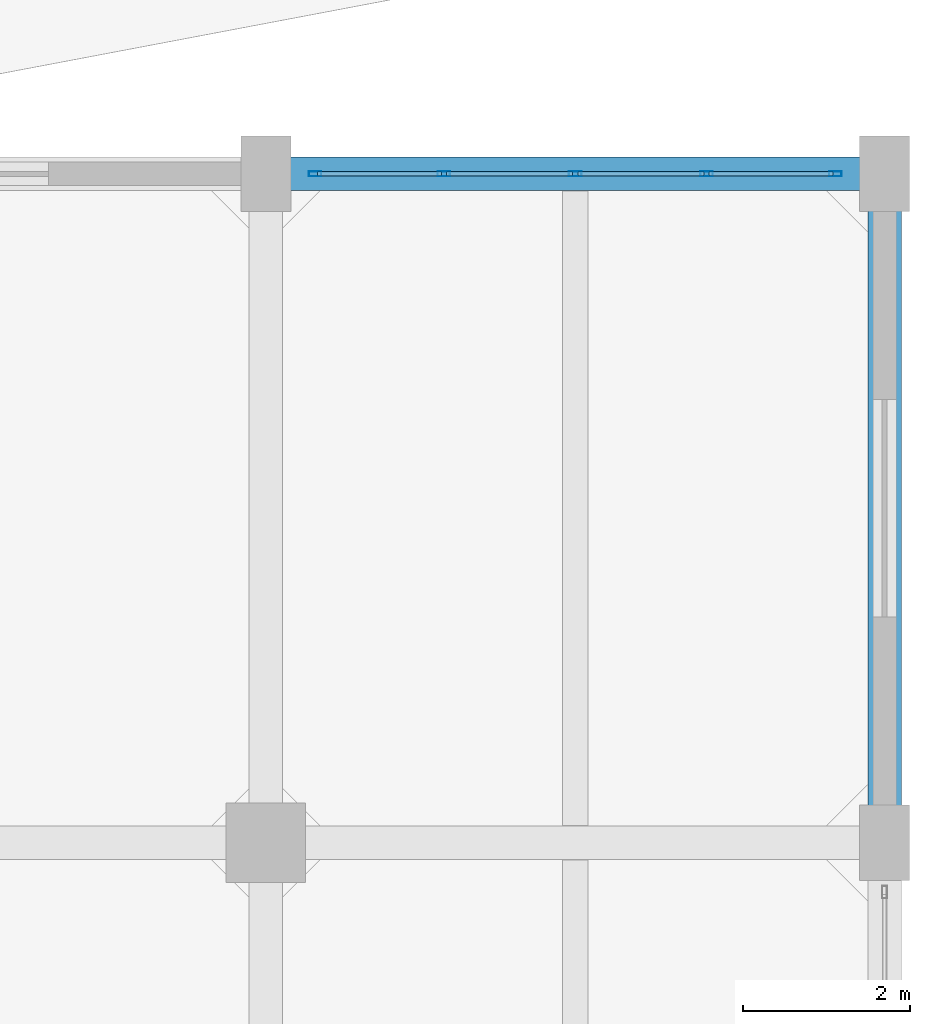
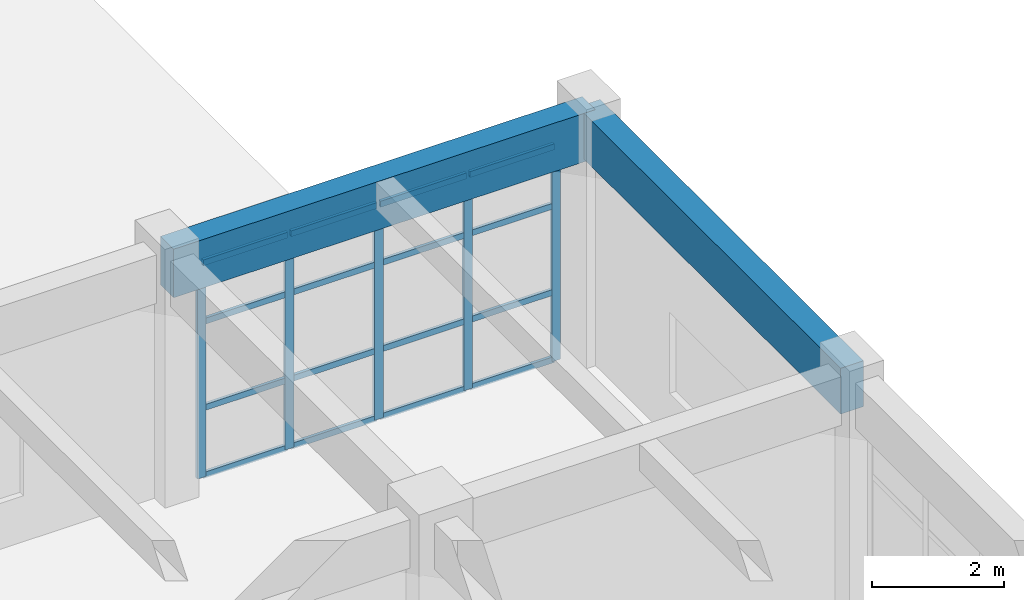
# One storey, part 42 of 63: 21 members, 2 beams, 1 element without a shape of its own.
"""IFC4 building model written with IfcOpenShell, lengths in metres."""

from ifc_helpers import new_model, si_unit, direction, frame, origin, origin_2d, place, context, subcontext, project, spatial, rectangle, hollow_rectangle, extrude, material, layer, layer_set, material_profile, profile_set, type_object, element, aggregate, save


model = new_model("IFC4")

# Units and contexts
model_context = context("Model", 3, precision=1e-05, world=origin(), true_north=direction((0.0, 1.0)))
body_context = subcontext(model_context, "Body", "Model", "MODEL_VIEW")
ifc_project = project(units=[si_unit("LENGTHUNIT", "METRE"), si_unit("AREAUNIT", "SQUARE_METRE"), si_unit("VOLUMEUNIT", "CUBIC_METRE"), si_unit("PLANEANGLEUNIT", "RADIAN"), si_unit("MASSUNIT", "GRAM", prefix="KILO")], contexts=[model_context])

# Site, building, storey
site_placement = place(None, origin())
site = spatial("IfcSite", under=ifc_project, at=site_placement, CompositionType="ELEMENT")
building_placement = place(site_placement, origin())
building = spatial("IfcBuilding", under=site, at=building_placement, Name="Canggui Botanical Conservatory", CompositionType="ELEMENT")
storey_placement = place(building_placement, frame((0.0, 0.0, 10.199951171875)))
storey = spatial("IfcBuildingStorey", under=building, at=storey_placement, Name="L03", CompositionType="ELEMENT", Elevation=10.199951171875)

# Beams
ifc_material_1 = material(Name="Concrete C35", Category="concrete")
ifc_material_profile_1 = material_profile(ifc_material_1, rectangle(XDim=0.39990234375, YDim=0.89990234375, at=origin_2d()), Name="RB 400x900")
ifc_profile_set_1 = profile_set([ifc_material_profile_1], Name="Concrete C35")
beam_type_1 = type_object("IfcBeamType", Name="BM-KL07", PredefinedType="BEAM", material=ifc_profile_set_1)
beam_1_placement = place(storey_placement, frame((170.0, 82.0, 4.10009765625), z_axis=(1.0, 0.0, 0.0), x_axis=(0.0, 1.0, 0.0)))
element("IfcBeam", 1, at=beam_1_placement, inside=storey, type_object=beam_type_1, Name="Frame Girder L03 Y82-5", PredefinedType="BEAM", context=body_context, shape_type="SweptSolid", body=[
    extrude(rectangle(XDim=0.39990234375, YDim=0.89990234375, at=origin_2d()), origin(), (0.0, 0.0, 1.0), 7.39990234375),
])
ifc_material_profile_2 = material_profile(ifc_material_1, rectangle(XDim=0.39990234375, YDim=0.85009765625, at=origin_2d()), Name="RB 400x850")
ifc_profile_set_2 = profile_set([ifc_material_profile_2], Name="Concrete C35")
beam_type_2 = type_object("IfcBeamType", Name="BM-KL08", PredefinedType="BEAM", material=ifc_profile_set_2)
beam_2_placement = place(storey_placement, frame((177.39990234375, 74.0, 4.125), z_axis=(0.0, 1.0, 0.0), x_axis=(-1.0, 0.0, 0.0)))
element("IfcBeam", 2, at=beam_2_placement, inside=storey, type_object=beam_type_2, Name="Frame Girder L03 X178-7", PredefinedType="BEAM", context=body_context, shape_type="SweptSolid", body=[
    extrude(rectangle(XDim=0.39990234375, YDim=0.85009765625, at=origin_2d()), origin(), (0.0, 0.0, 1.0), 8.0),
])

# Curtain wall, members
ifc_material_2 = material(Name="Thermally Broken Aluminium", Category="aluminium")
ifc_layer = layer(ifc_material_2, 0.14990234375, Name="Thermally Broken Aluminium", Category="aluminium")
ifc_layer_set = layer_set([ifc_layer], Name="Thermally Broken Aluminium")
curtain_wall_type = type_object("IfcCurtainWallType", Name="CW-UNIT-C", PredefinedType="USERDEFINED", material=ifc_layer_set)
curtain_wall_placement = place(storey_placement, origin())
curtain_wall = element("IfcCurtainWall", 3, at=curtain_wall_placement, inside=storey, type_object=curtain_wall_type, Name="Facade Curtain Wall CW-TWR-L03-19", ObjectType="UNITISED CURTAIN WALL", PredefinedType="USERDEFINED")
ifc_material_profile_3 = material_profile(ifc_material_2, hollow_rectangle(XDim=0.06005859375, YDim=0.14990234375, WallThickness=0.00341796875, at=origin_2d()), Name="CWM 60x150x3.5")
ifc_profile_set_3 = profile_set([ifc_material_profile_3], Name="Thermally Broken Aluminium")
member_type_1 = type_object("IfcMemberType", Name="CWM-03", PredefinedType="MULLION", material=ifc_profile_set_3)
member_1_placement = place(storey_placement, frame((170.590087890625, 82.0, 0.0), z_axis=(0.0, 0.0, 1.0), x_axis=(0.0, 1.0, 0.0)))
member_1 = element("IfcMember", 4, at=member_1_placement, type_object=member_type_1, Name="CW-03 mullion 1", PredefinedType="MULLION", context=body_context, shape_type="SweptSolid", body=[
    extrude(hollow_rectangle(XDim=0.06005859375, YDim=0.14990234375, WallThickness=0.00341796875, at=origin_2d()), origin(), (0.0, 0.0, 1.0), 4.0),
])
member_2_placement = place(storey_placement, frame((172.1298828125, 82.0, 0.0), z_axis=(0.0, 0.0, 1.0), x_axis=(0.0, 1.0, 0.0)))
member_2 = element("IfcMember", 5, at=member_2_placement, type_object=member_type_1, Name="CW-03 mullion 2", PredefinedType="MULLION", context=body_context, shape_type="SweptSolid", body=[
    extrude(hollow_rectangle(XDim=0.06005859375, YDim=0.14990234375, WallThickness=0.00341796875, at=origin_2d()), origin(), (0.0, 0.0, 1.0), 4.0),
])
member_3_placement = place(storey_placement, frame((173.699951171875, 82.0, 0.0), z_axis=(0.0, 0.0, 1.0), x_axis=(0.0, 1.0, 0.0)))
member_3 = element("IfcMember", 6, at=member_3_placement, type_object=member_type_1, Name="CW-03 mullion 3", PredefinedType="MULLION", context=body_context, shape_type="SweptSolid", body=[
    extrude(hollow_rectangle(XDim=0.06005859375, YDim=0.14990234375, WallThickness=0.00341796875, at=origin_2d()), origin(), (0.0, 0.0, 1.0), 4.0),
])
member_4_placement = place(storey_placement, frame((175.27001953125, 82.0, 0.0), z_axis=(0.0, 0.0, 1.0), x_axis=(0.0, 1.0, 0.0)))
member_4 = element("IfcMember", 7, at=member_4_placement, type_object=member_type_1, Name="CW-03 mullion 4", PredefinedType="MULLION", context=body_context, shape_type="SweptSolid", body=[
    extrude(hollow_rectangle(XDim=0.06005859375, YDim=0.14990234375, WallThickness=0.00341796875, at=origin_2d()), origin(), (0.0, 0.0, 1.0), 4.0),
])
member_5_placement = place(storey_placement, frame((176.81005859375, 82.0, 0.0), z_axis=(0.0, 0.0, 1.0), x_axis=(0.0, 1.0, 0.0)))
member_5 = element("IfcMember", 8, at=member_5_placement, type_object=member_type_1, Name="CW-03 mullion 5", PredefinedType="MULLION", context=body_context, shape_type="SweptSolid", body=[
    extrude(hollow_rectangle(XDim=0.06005859375, YDim=0.14990234375, WallThickness=0.00341796875, at=origin_2d()), origin(), (0.0, 0.0, 1.0), 4.0),
])
ifc_material_profile_4 = material_profile(ifc_material_2, hollow_rectangle(XDim=0.054931640625, YDim=0.110107421875, WallThickness=0.0029296875, at=origin_2d()), Name="CWT 55x110x3")
ifc_profile_set_4 = profile_set([ifc_material_profile_4], Name="Thermally Broken Aluminium")
member_type_2 = type_object("IfcMemberType", Name="CWT-03", PredefinedType="USERDEFINED", material=ifc_profile_set_4)
member_6_placement = place(storey_placement, frame((170.6201171875, 82.0, 0.027587890625), z_axis=(1.0, 0.0, 0.0), x_axis=(0.0, 1.0, 0.0)))
member_6 = element("IfcMember", 9, at=member_6_placement, type_object=member_type_2, Name="CW-03 transom 1.1", ObjectType="TRANSOM", PredefinedType="USERDEFINED", context=body_context, shape_type="SweptSolid", body=[
    extrude(hollow_rectangle(XDim=0.054931640625, YDim=0.110107421875, WallThickness=0.0029296875, at=origin_2d()), origin(), (0.0, 0.0, 1.0), 1.47998046875),
])
member_7_placement = place(storey_placement, frame((170.6201171875, 82.0, 1.280029296875), z_axis=(1.0, 0.0, 0.0), x_axis=(0.0, 1.0, 0.0)))
member_7 = element("IfcMember", 10, at=member_7_placement, type_object=member_type_2, Name="CW-03 transom 1.2", ObjectType="TRANSOM", PredefinedType="USERDEFINED", context=body_context, shape_type="SweptSolid", body=[
    extrude(hollow_rectangle(XDim=0.054931640625, YDim=0.110107421875, WallThickness=0.0029296875, at=origin_2d()), origin(), (0.0, 0.0, 1.0), 1.47998046875),
])
member_8_placement = place(storey_placement, frame((170.6201171875, 82.0, 2.880126953125), z_axis=(1.0, 0.0, 0.0), x_axis=(0.0, 1.0, 0.0)))
member_8 = element("IfcMember", 11, at=member_8_placement, type_object=member_type_2, Name="CW-03 transom 1.3", ObjectType="TRANSOM", PredefinedType="USERDEFINED", context=body_context, shape_type="SweptSolid", body=[
    extrude(hollow_rectangle(XDim=0.054931640625, YDim=0.110107421875, WallThickness=0.0029296875, at=origin_2d()), origin(), (0.0, 0.0, 1.0), 1.47998046875),
])
member_9_placement = place(storey_placement, frame((170.6201171875, 82.0, 3.97265625), z_axis=(1.0, 0.0, 0.0), x_axis=(0.0, 1.0, 0.0)))
member_9 = element("IfcMember", 12, at=member_9_placement, type_object=member_type_2, Name="CW-03 transom 1.4", ObjectType="TRANSOM", PredefinedType="USERDEFINED", context=body_context, shape_type="SweptSolid", body=[
    extrude(hollow_rectangle(XDim=0.054931640625, YDim=0.110107421875, WallThickness=0.0029296875, at=origin_2d()), origin(), (0.0, 0.0, 1.0), 1.47998046875),
])
member_10_placement = place(storey_placement, frame((172.159912109375, 82.0, 0.027587890625), z_axis=(1.0, 0.0, 0.0), x_axis=(0.0, 1.0, 0.0)))
member_10 = element("IfcMember", 13, at=member_10_placement, type_object=member_type_2, Name="CW-03 transom 2.1", ObjectType="TRANSOM", PredefinedType="USERDEFINED", context=body_context, shape_type="SweptSolid", body=[
    extrude(hollow_rectangle(XDim=0.054931640625, YDim=0.110107421875, WallThickness=0.0029296875, at=origin_2d()), origin(), (0.0, 0.0, 1.0), 1.510009765625),
])
member_11_placement = place(storey_placement, frame((172.159912109375, 82.0, 1.280029296875), z_axis=(1.0, 0.0, 0.0), x_axis=(0.0, 1.0, 0.0)))
member_11 = element("IfcMember", 14, at=member_11_placement, type_object=member_type_2, Name="CW-03 transom 2.2", ObjectType="TRANSOM", PredefinedType="USERDEFINED", context=body_context, shape_type="SweptSolid", body=[
    extrude(hollow_rectangle(XDim=0.054931640625, YDim=0.110107421875, WallThickness=0.0029296875, at=origin_2d()), origin(), (0.0, 0.0, 1.0), 1.510009765625),
])
member_12_placement = place(storey_placement, frame((172.159912109375, 82.0, 2.880126953125), z_axis=(1.0, 0.0, 0.0), x_axis=(0.0, 1.0, 0.0)))
member_12 = element("IfcMember", 15, at=member_12_placement, type_object=member_type_2, Name="CW-03 transom 2.3", ObjectType="TRANSOM", PredefinedType="USERDEFINED", context=body_context, shape_type="SweptSolid", body=[
    extrude(hollow_rectangle(XDim=0.054931640625, YDim=0.110107421875, WallThickness=0.0029296875, at=origin_2d()), origin(), (0.0, 0.0, 1.0), 1.510009765625),
])
member_13_placement = place(storey_placement, frame((172.159912109375, 82.0, 3.97265625), z_axis=(1.0, 0.0, 0.0), x_axis=(0.0, 1.0, 0.0)))
member_13 = element("IfcMember", 16, at=member_13_placement, type_object=member_type_2, Name="CW-03 transom 2.4", ObjectType="TRANSOM", PredefinedType="USERDEFINED", context=body_context, shape_type="SweptSolid", body=[
    extrude(hollow_rectangle(XDim=0.054931640625, YDim=0.110107421875, WallThickness=0.0029296875, at=origin_2d()), origin(), (0.0, 0.0, 1.0), 1.510009765625),
])
member_14_placement = place(storey_placement, frame((173.72998046875, 82.0, 0.027587890625), z_axis=(1.0, 0.0, 0.0), x_axis=(0.0, 1.0, 0.0)))
member_14 = element("IfcMember", 17, at=member_14_placement, type_object=member_type_2, Name="CW-03 transom 3.1", ObjectType="TRANSOM", PredefinedType="USERDEFINED", context=body_context, shape_type="SweptSolid", body=[
    extrude(hollow_rectangle(XDim=0.054931640625, YDim=0.110107421875, WallThickness=0.0029296875, at=origin_2d()), origin(), (0.0, 0.0, 1.0), 1.510009765625),
])
member_15_placement = place(storey_placement, frame((173.72998046875, 82.0, 1.280029296875), z_axis=(1.0, 0.0, 0.0), x_axis=(0.0, 1.0, 0.0)))
member_15 = element("IfcMember", 18, at=member_15_placement, type_object=member_type_2, Name="CW-03 transom 3.2", ObjectType="TRANSOM", PredefinedType="USERDEFINED", context=body_context, shape_type="SweptSolid", body=[
    extrude(hollow_rectangle(XDim=0.054931640625, YDim=0.110107421875, WallThickness=0.0029296875, at=origin_2d()), origin(), (0.0, 0.0, 1.0), 1.510009765625),
])
member_16_placement = place(storey_placement, frame((173.72998046875, 82.0, 2.880126953125), z_axis=(1.0, 0.0, 0.0), x_axis=(0.0, 1.0, 0.0)))
member_16 = element("IfcMember", 19, at=member_16_placement, type_object=member_type_2, Name="CW-03 transom 3.3", ObjectType="TRANSOM", PredefinedType="USERDEFINED", context=body_context, shape_type="SweptSolid", body=[
    extrude(hollow_rectangle(XDim=0.054931640625, YDim=0.110107421875, WallThickness=0.0029296875, at=origin_2d()), origin(), (0.0, 0.0, 1.0), 1.510009765625),
])
member_17_placement = place(storey_placement, frame((173.72998046875, 82.0, 3.97265625), z_axis=(1.0, 0.0, 0.0), x_axis=(0.0, 1.0, 0.0)))
member_17 = element("IfcMember", 20, at=member_17_placement, type_object=member_type_2, Name="CW-03 transom 3.4", ObjectType="TRANSOM", PredefinedType="USERDEFINED", context=body_context, shape_type="SweptSolid", body=[
    extrude(hollow_rectangle(XDim=0.054931640625, YDim=0.110107421875, WallThickness=0.0029296875, at=origin_2d()), origin(), (0.0, 0.0, 1.0), 1.510009765625),
])
member_18_placement = place(storey_placement, frame((175.300048828125, 82.0, 0.027587890625), z_axis=(1.0, 0.0, 0.0), x_axis=(0.0, 1.0, 0.0)))
member_18 = element("IfcMember", 21, at=member_18_placement, type_object=member_type_2, Name="CW-03 transom 4.1", ObjectType="TRANSOM", PredefinedType="USERDEFINED", context=body_context, shape_type="SweptSolid", body=[
    extrude(hollow_rectangle(XDim=0.054931640625, YDim=0.110107421875, WallThickness=0.0029296875, at=origin_2d()), origin(), (0.0, 0.0, 1.0), 1.47998046875),
])
member_19_placement = place(storey_placement, frame((175.300048828125, 82.0, 1.280029296875), z_axis=(1.0, 0.0, 0.0), x_axis=(0.0, 1.0, 0.0)))
member_19 = element("IfcMember", 22, at=member_19_placement, type_object=member_type_2, Name="CW-03 transom 4.2", ObjectType="TRANSOM", PredefinedType="USERDEFINED", context=body_context, shape_type="SweptSolid", body=[
    extrude(hollow_rectangle(XDim=0.054931640625, YDim=0.110107421875, WallThickness=0.0029296875, at=origin_2d()), origin(), (0.0, 0.0, 1.0), 1.47998046875),
])
member_20_placement = place(storey_placement, frame((175.300048828125, 82.0, 2.880126953125), z_axis=(1.0, 0.0, 0.0), x_axis=(0.0, 1.0, 0.0)))
member_20 = element("IfcMember", 23, at=member_20_placement, type_object=member_type_2, Name="CW-03 transom 4.3", ObjectType="TRANSOM", PredefinedType="USERDEFINED", context=body_context, shape_type="SweptSolid", body=[
    extrude(hollow_rectangle(XDim=0.054931640625, YDim=0.110107421875, WallThickness=0.0029296875, at=origin_2d()), origin(), (0.0, 0.0, 1.0), 1.47998046875),
])
member_21_placement = place(storey_placement, frame((175.300048828125, 82.0, 3.97265625), z_axis=(1.0, 0.0, 0.0), x_axis=(0.0, 1.0, 0.0)))
member_21 = element("IfcMember", 24, at=member_21_placement, type_object=member_type_2, Name="CW-03 transom 4.4", ObjectType="TRANSOM", PredefinedType="USERDEFINED", context=body_context, shape_type="SweptSolid", body=[
    extrude(hollow_rectangle(XDim=0.054931640625, YDim=0.110107421875, WallThickness=0.0029296875, at=origin_2d()), origin(), (0.0, 0.0, 1.0), 1.47998046875),
])
aggregate(curtain_wall, [member_1, member_2, member_3, member_4, member_5, member_6, member_7, member_8, member_9, member_10, member_11, member_12, member_13, member_14, member_15, member_16, member_17, member_18, member_19, member_20, member_21])

save(model, "model.ifc")
